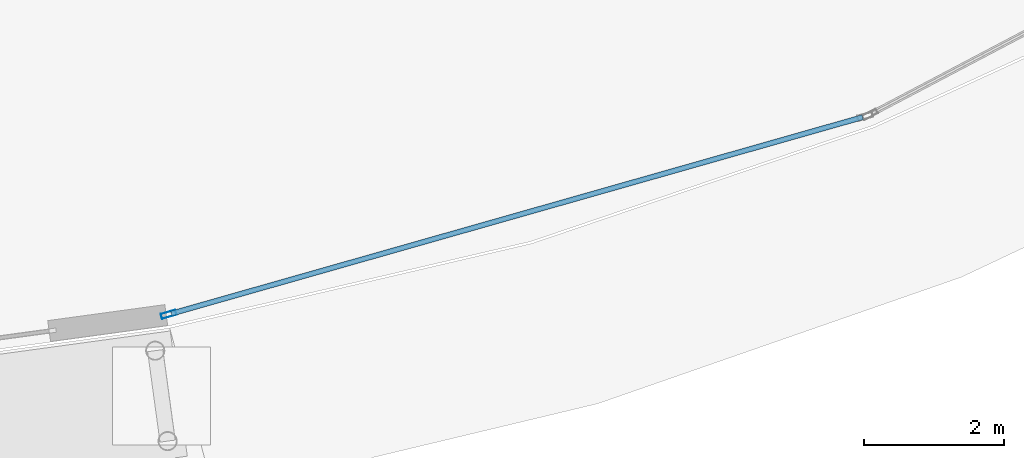
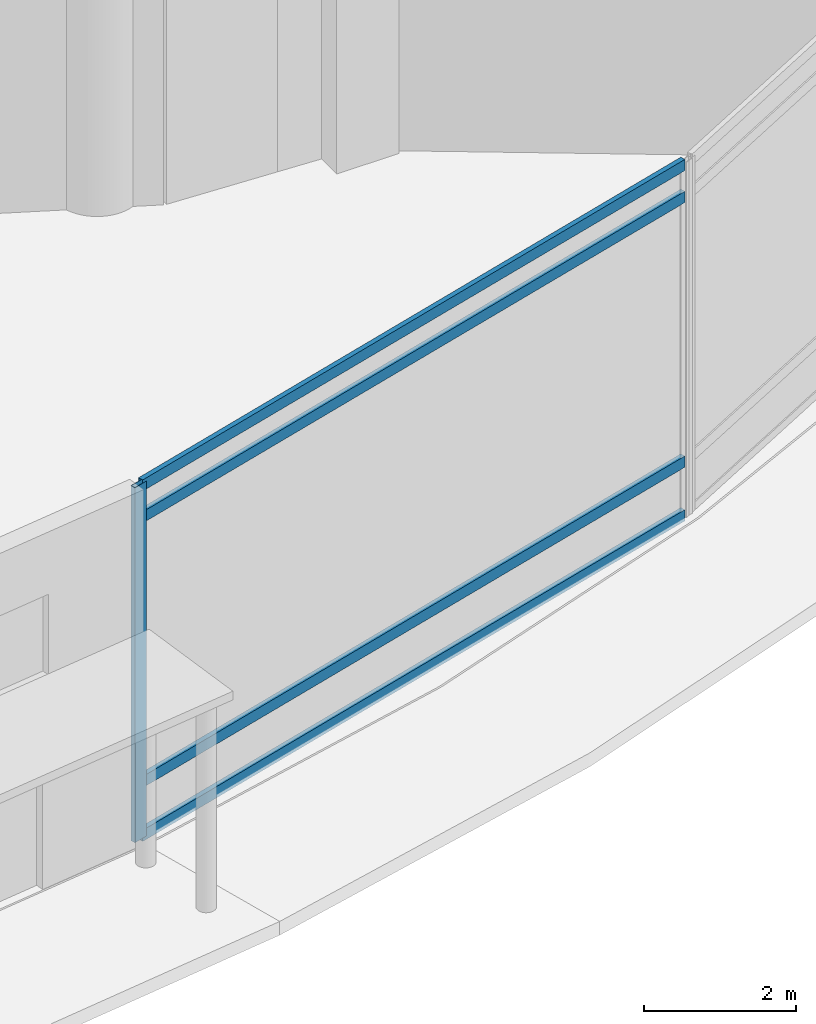
# One storey, part 14 of 40: 5 members, 1 element without a shape of its own.
"""IFC4 building model written with IfcOpenShell, lengths in metres."""

from ifc_helpers import new_model, si_unit, direction, frame, origin, origin_2d, place, context, subcontext, project, spatial, hollow_rectangle, extrude, material, layer, layer_set, material_profile, profile_set, type_object, element, aggregate, save


model = new_model("IFC4")

# Units and contexts
model_context = context("Model", 3, precision=1e-05, world=origin(), true_north=direction((0.0, 1.0)))
body_context = subcontext(model_context, "Body", "Model", "MODEL_VIEW")
ifc_project = project(units=[si_unit("LENGTHUNIT", "METRE"), si_unit("AREAUNIT", "SQUARE_METRE"), si_unit("VOLUMEUNIT", "CUBIC_METRE"), si_unit("PLANEANGLEUNIT", "RADIAN"), si_unit("MASSUNIT", "GRAM", prefix="KILO")], contexts=[model_context])

# Site, building, storey
site_placement = place(None, origin())
site = spatial("IfcSite", under=ifc_project, at=site_placement, CompositionType="ELEMENT")
building_placement = place(site_placement, origin())
building = spatial("IfcBuilding", under=site, at=building_placement, Name="Nuhasar Tower", CompositionType="ELEMENT")
storey_placement = place(building_placement, origin())
storey = spatial("IfcBuildingStorey", under=building, at=storey_placement, Name="L00", CompositionType="ELEMENT", Elevation=0.0)

# Curtain wall, members
ifc_material = material(Name="Aluminium 6063-T6", Category="aluminium")
ifc_layer = layer(ifc_material, 0.219970703125)
ifc_layer_set = layer_set([ifc_layer], Name="Aluminium 6063-T6")
curtain_wall_type = type_object("IfcCurtainWallType", Name="CW-PODIUM", PredefinedType="NOTDEFINED", material=ifc_layer_set)
curtain_wall_placement = place(storey_placement, origin())
curtain_wall = element("IfcCurtainWall", 1, at=curtain_wall_placement, inside=storey, type_object=curtain_wall_type, Name="L00 Podium Curtain Wall Bay 20", PredefinedType="NOTDEFINED")
ifc_material_profile_1 = material_profile(ifc_material, hollow_rectangle(XDim=0.074951171875, YDim=0.219970703125, WallThickness=0.0048828125, at=origin_2d()), Name="CWM-1")
ifc_profile_set_1 = profile_set([ifc_material_profile_1], Name="Aluminium 6063-T6")
member_type_1 = type_object("IfcMemberType", Name="CW-MUL-S1", PredefinedType="MULLION", material=ifc_profile_set_1)
member_1_placement = place(storey_placement, frame((49.760986328125, -0.66064453125, 0.0), z_axis=(0.0, 0.0, 1.0), x_axis=(-0.273411675586, 0.961897112821, 0.0)))
member_1 = element("IfcMember", 2, at=member_1_placement, type_object=member_type_1, Name="CW-P1 mullion 1", PredefinedType="MULLION", context=body_context, shape_type="SweptSolid", body=[
    extrude(hollow_rectangle(XDim=0.074951171875, YDim=0.219970703125, WallThickness=0.0048828125, at=origin_2d()), origin(), (0.0, 0.0, 1.0), 5.699951171875),
])
ifc_material_profile_2 = material_profile(ifc_material, hollow_rectangle(XDim=0.074951171875, YDim=0.179931640625, WallThickness=0.00439453125, at=origin_2d()), Name="CWT-1")
ifc_profile_set_2 = profile_set([ifc_material_profile_2], Name="Aluminium 6063-T6")
member_type_2 = type_object("IfcMemberType", Name="CW-TRN-S1", PredefinedType="USERDEFINED", material=ifc_profile_set_2)
member_2_placement = place(storey_placement, frame((49.797119140625, -0.650390625, 0.03759765625), z_axis=(0.96190266342, 0.273392147119, 0.0), x_axis=(-0.273392147119, 0.96190266342, 0.0)))
member_2 = element("IfcMember", 3, at=member_2_placement, type_object=member_type_2, Name="CW-P1 transom 1.1", ObjectType="TRANSOM", PredefinedType="USERDEFINED", context=body_context, shape_type="SweptSolid", body=[
    extrude(hollow_rectangle(XDim=0.074951171875, YDim=0.179931640625, WallThickness=0.00439453125, at=origin_2d()), origin(), (0.0, 0.0, 1.0), 10.240966796875),
])
member_3_placement = place(storey_placement, frame((49.797119140625, -0.650390625, 0.89990234375), z_axis=(0.96190266342, 0.273392147119, 0.0), x_axis=(-0.273392147119, 0.96190266342, 0.0)))
member_3 = element("IfcMember", 4, at=member_3_placement, type_object=member_type_2, Name="CW-P1 transom 1.2", ObjectType="TRANSOM", PredefinedType="USERDEFINED", context=body_context, shape_type="SweptSolid", body=[
    extrude(hollow_rectangle(XDim=0.074951171875, YDim=0.179931640625, WallThickness=0.00439453125, at=origin_2d()), origin(), (0.0, 0.0, 1.0), 10.240966796875),
])
member_4_placement = place(storey_placement, frame((49.797119140625, -0.650390625, 5.14990234375), z_axis=(0.96190266342, 0.273392147119, 0.0), x_axis=(-0.273392147119, 0.96190266342, 0.0)))
member_4 = element("IfcMember", 5, at=member_4_placement, type_object=member_type_2, Name="CW-P1 transom 1.3", ObjectType="TRANSOM", PredefinedType="USERDEFINED", context=body_context, shape_type="SweptSolid", body=[
    extrude(hollow_rectangle(XDim=0.074951171875, YDim=0.179931640625, WallThickness=0.00439453125, at=origin_2d()), origin(), (0.0, 0.0, 1.0), 10.240966796875),
])
member_5_placement = place(storey_placement, frame((49.797119140625, -0.650390625, 5.66259765625), z_axis=(0.96190266342, 0.273392147119, 0.0), x_axis=(-0.273392147119, 0.96190266342, 0.0)))
member_5 = element("IfcMember", 6, at=member_5_placement, type_object=member_type_2, Name="CW-P1 transom 1.4", ObjectType="TRANSOM", PredefinedType="USERDEFINED", context=body_context, shape_type="SweptSolid", body=[
    extrude(hollow_rectangle(XDim=0.074951171875, YDim=0.179931640625, WallThickness=0.00439453125, at=origin_2d()), origin(), (0.0, 0.0, 1.0), 10.240966796875),
])
aggregate(curtain_wall, [member_1, member_2, member_3, member_4, member_5])

save(model, "model.ifc")
